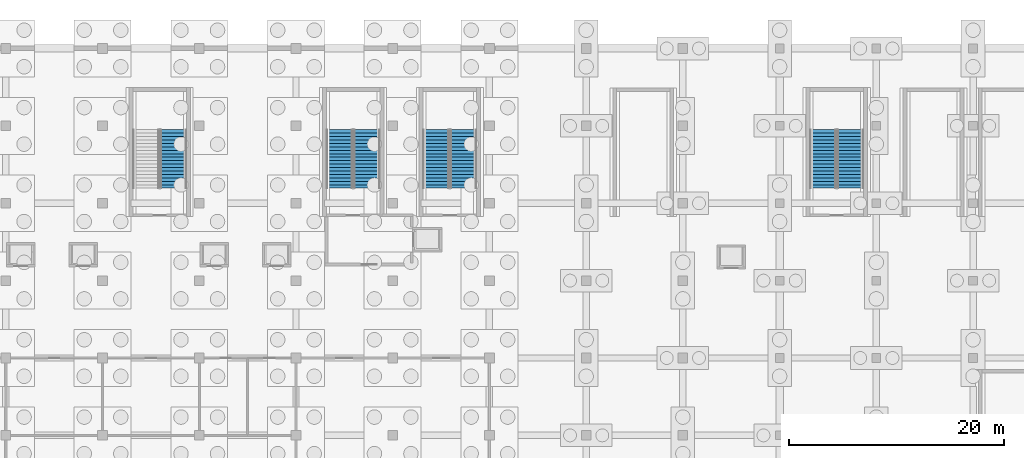
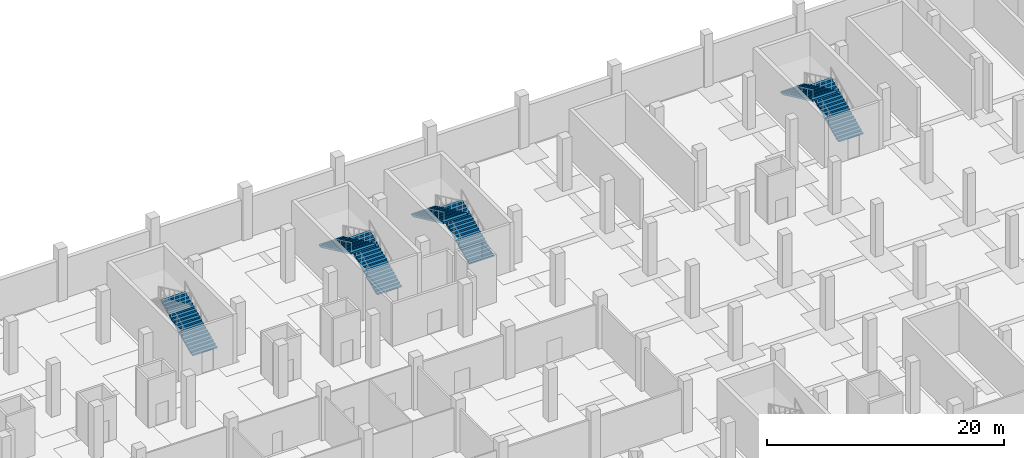
# One storey, part 29 of 39: 7 stair flights, 4 elements without a shape of their own.
"""IFC4 building model written with IfcOpenShell, lengths in metres."""

import ifcopenshell
import ifcopenshell.guid

model = None  # the IFC model being written
_history = None  # IfcOwnerHistory: only IFC2X3 demands one
_inside = {}  # id of a spatial element -> (the spatial element, [elements in it])
_under = {}  # id of a project, library or spatial element -> (it, [spatial elements below it])
_declared = {}  # id of a project -> (the project, [libraries it declares])
_typed = {}  # id of a type object -> (the type object, [elements of that type])
_made_of = {}  # id of a material, layer set ... -> (it, [elements and type objects made of it])


def new_model(schema):
    """Start an empty IFC model of exactly this schema.

    Asked for "IFC4X3", IfcOpenShell would pick the latest addendum, in which some entities
    have other attributes; the version numbers below select the first issue.
    IFC2X3 requires an IfcOwnerHistory on every rooted entity: one is made here for all.
    """
    global model, _history
    if schema == "IFC4X3":
        model = ifcopenshell.file(schema_version=(4, 3, 0, 0))
    else:
        model = ifcopenshell.file(schema=schema)
    _inside.clear()
    _under.clear()
    _declared.clear()
    _typed.clear()
    _made_of.clear()
    _history = None
    if model.schema == "IFC2X3":
        org = make("IfcOrganization", Name="unknown")
        user = make(
            "IfcPersonAndOrganization",
            ThePerson=make("IfcPerson", FamilyName="unknown"),
            TheOrganization=org,
        )
        app = make(
            "IfcApplication",
            ApplicationDeveloper=org,
            Version="unknown",
            ApplicationFullName="unknown",
            ApplicationIdentifier="unknown",
        )
        _history = make(
            "IfcOwnerHistory",
            OwningUser=user,
            OwningApplication=app,
            ChangeAction="ADDED",
            CreationDate=0,
        )
    return model


def make(cls, **values):
    """One entity of the class cls with the attributes given. An attribute that is None is left unset."""
    return model.create_entity(
        cls, **{name: value for name, value in values.items() if value is not None}
    )


def rooted(cls, **values):
    """An entity with a GlobalId (a new one), such as an element, a storey or a relation."""
    return make(cls, GlobalId=ifcopenshell.guid.new(), OwnerHistory=_history, **values)


def si_unit(unit_type, name, prefix=None):
    """IfcSIUnit, for example si_unit("LENGTHUNIT", "METRE", prefix="MILLI")."""
    return make("IfcSIUnit", UnitType=unit_type, Prefix=prefix, Name=name)


def assignment(units):
    """IfcUnitAssignment: the units of a project."""
    return None if units is None else make("IfcUnitAssignment", Units=units)


def point(xyz):
    """IfcCartesianPoint."""
    return None if xyz is None else make("IfcCartesianPoint", Coordinates=xyz)


def direction(xyz):
    """IfcDirection."""
    return None if xyz is None else make("IfcDirection", DirectionRatios=xyz)


def frame(location, z_axis=None, x_axis=None):
    """IfcAxis2Placement3D, a coordinate frame: its origin and axes. An axis left out is left unset."""
    return make(
        "IfcAxis2Placement3D",
        Location=point(location),
        Axis=direction(z_axis),
        RefDirection=direction(x_axis),
    )


def origin():
    """The frame at (0, 0, 0) with its axes left unset."""
    return frame((0.0, 0.0, 0.0))


def place(relative_to, where):
    """IfcLocalPlacement: puts the frame where relative to a parent placement (None: the world)."""
    return make(
        "IfcLocalPlacement", PlacementRelTo=relative_to, RelativePlacement=where
    )


def context(
    kind, dimensions, precision=None, world=None, true_north=None, identifier=None
):
    """IfcGeometricRepresentationContext, for example the 3D "Model" context."""
    return make(
        "IfcGeometricRepresentationContext",
        ContextIdentifier=identifier,
        ContextType=kind,
        CoordinateSpaceDimension=dimensions,
        Precision=precision,
        WorldCoordinateSystem=world,
        TrueNorth=true_north,
    )


def subcontext(parent, identifier, kind, view, scale=None):
    """IfcGeometricRepresentationSubContext, for example "Body" below "Model"."""
    return make(
        "IfcGeometricRepresentationSubContext",
        ContextIdentifier=identifier,
        ContextType=kind,
        ParentContext=parent,
        TargetScale=scale,
        TargetView=view,
    )


def project(units=None, contexts=None):
    """IfcProject with its units and contexts."""
    return rooted(
        "IfcProject",
        Name="project",
        RepresentationContexts=contexts,
        UnitsInContext=assignment(units),
    )


def spatial(cls, under=None, at=None, **own):
    """A site, building, storey or space (cls), placed at a placement, below another one or the project."""
    s = rooted(cls, ObjectPlacement=at, **own)
    if under is not None:
        _under.setdefault(under.id(), (under, []))[1].append(s)
    return s


def polyline(points):
    """IfcPolyline through the points."""
    return make("IfcPolyline", Points=[point(p) for p in points])


def outline(outer, holes=None, kind="AREA"):
    """IfcArbitraryClosedProfileDef: a profile drawn as a closed curve; with holes, ...WithVoids."""
    if holes is None:
        return make("IfcArbitraryClosedProfileDef", ProfileType=kind, OuterCurve=outer)
    return make(
        "IfcArbitraryProfileDefWithVoids",
        ProfileType=kind,
        OuterCurve=outer,
        InnerCurves=holes,
    )


def extrude(swept, where, along, depth):
    """IfcExtrudedAreaSolid: the profile swept, set in the frame where, extruded along a direction by depth."""
    return make(
        "IfcExtrudedAreaSolid",
        SweptArea=swept,
        Position=where,
        ExtrudedDirection=direction(along),
        Depth=depth,
    )


def shape(context_of_items, identifier, shape_type, items):
    """IfcShapeRepresentation: the items that make up one representation, for example the "Body"."""
    return make(
        "IfcShapeRepresentation",
        ContextOfItems=context_of_items,
        RepresentationIdentifier=identifier,
        RepresentationType=shape_type,
        Items=items,
    )


def material(Name=None, Category=None):
    """IfcMaterial."""
    return make("IfcMaterial", Name=Name, Category=Category)


def made_of(thing, what):
    """Note that an element or type object is made of a material, layer set ...; save() writes the relation."""
    if what is not None:
        _made_of.setdefault(what.id(), (what, []))[1].append(thing)
    return thing


def type_object(cls, material=None, **own):
    """A type object (cls), such as IfcWallType, which elements share."""
    return made_of(rooted(cls, **own), material)


def element(
    cls,
    number,
    at=None,
    inside=None,
    cuts=None,
    type_object=None,
    material=None,
    context=None,
    identifier="Body",
    shape_type=None,
    held_by="IfcProductDefinitionShape",
    body=None,
    shapes=None,
    **own,
):
    """One element of the class cls, such as IfcWall. Its Tag is "e" and its number.

    at: its placement. inside: the storey or other place that contains it. cuts: it is an
    opening in that element (IfcRelVoidsElement). A single representation is given by context,
    identifier, shape_type and body (its items); several are given by shapes. held_by: the class
    of the entity that holds the representations. save() writes the other relations.
    """
    e = rooted(cls, Tag="e%d" % number, ObjectPlacement=at, **own)
    if body is not None:
        shapes = [shape(context, identifier, shape_type, body)]
    if shapes is not None:
        e.Representation = make(held_by, Representations=shapes)
    if inside is not None:
        _inside.setdefault(inside.id(), (inside, []))[1].append(e)
    if cuts is not None:
        rooted(
            "IfcRelVoidsElement", RelatingBuildingElement=cuts, RelatedOpeningElement=e
        )
    if type_object is not None:
        _typed.setdefault(type_object.id(), (type_object, []))[1].append(e)
    return made_of(e, material)


def aggregate(whole, parts):
    """IfcRelAggregates: a whole, such as a stair, and the parts it consists of."""
    return rooted("IfcRelAggregates", RelatingObject=whole, RelatedObjects=parts)


def save(model, path):
    """Write the relations noted so far, then the file.

    IfcRelAggregates (storeys below a building ...), IfcRelContainedInSpatialStructure (elements
    in a storey), IfcRelDefinesByType, IfcRelAssociatesMaterial and IfcRelDeclares: one each for
    every whole, place, type object, material and project.
    """
    for whole, parts in _under.values():
        aggregate(whole, parts)
    for where, things in _inside.values():
        rooted(
            "IfcRelContainedInSpatialStructure",
            RelatedElements=things,
            RelatingStructure=where,
        )
    for kind, things in _typed.values():
        rooted("IfcRelDefinesByType", RelatedObjects=things, RelatingType=kind)
    for what, things in _made_of.values():
        rooted("IfcRelAssociatesMaterial", RelatedObjects=things, RelatingMaterial=what)
    for by, libraries in _declared.values():
        rooted("IfcRelDeclares", RelatingContext=by, RelatedDefinitions=libraries)
    model.write(path)


model = new_model("IFC4")

# Units and contexts
model_context = context("Model", 3, precision=1e-05, world=origin(), true_north=direction((0.0, 1.0)))
body_context = subcontext(model_context, "Body", "Model", "MODEL_VIEW")
ifc_project = project(units=[si_unit("LENGTHUNIT", "METRE"), si_unit("AREAUNIT", "SQUARE_METRE"), si_unit("VOLUMEUNIT", "CUBIC_METRE"), si_unit("PLANEANGLEUNIT", "RADIAN"), si_unit("MASSUNIT", "GRAM", prefix="KILO")], contexts=[model_context])

# Site, building, storey
site_placement = place(None, origin())
site = spatial("IfcSite", under=ifc_project, at=site_placement, CompositionType="ELEMENT")
building_placement = place(site_placement, origin())
building = spatial("IfcBuilding", under=site, at=building_placement, Name="Celestram Park Convention Centre", CompositionType="ELEMENT")
storey_placement = place(building_placement, frame((0.0, 0.0, -5.39990234375)))
storey = spatial("IfcBuildingStorey", under=building, at=storey_placement, Name="B1", CompositionType="ELEMENT", Elevation=-5.39990234375)

# Stair, stair flights
ifc_material = material(Name="Precast Concrete C40/50", Category="concrete")
stair_type = type_object("IfcStairType", Name="ARC-STR-DOG54", PredefinedType="HALF_TURN_STAIR", material=ifc_material)
stair_1_placement = place(storey_placement, origin())
stair_1 = element("IfcStair", 1, at=stair_1_placement, inside=storey, type_object=stair_type, Name="B1 Core C2 stair ST-02", PredefinedType="HALF_TURN_STAIR")
stair_flight_type = type_object("IfcStairFlightType", Name="ARC-FLT-18R", PredefinedType="STRAIGHT", material=ifc_material)
stair_flight_1_placement = place(storey_placement, frame((87.60009765625, 152.60009765625, 0.0), z_axis=(0.0, 0.0, 1.0), x_axis=(0.0, 1.0, 0.0)))
stair_flight_1 = element("IfcStairFlight", 2, at=stair_flight_1_placement, type_object=stair_flight_type, Name="ST-02 flight 1", NumberOfRisers=18, NumberOfTreads=17, PredefinedType="STRAIGHT", RiserHeight=0.15, TreadLength=0.32, context=body_context, shape_type="SweptSolid", body=[
    extrude(outline(polyline([(0.0, 0.0), (0.0, 0.14990234375), (0.320068359375, 0.14990234375), (0.320068359375, 0.300048828125), (0.639892578125, 0.300048828125), (0.639892578125, 0.449951171875), (0.9599609375, 0.449951171875), (0.9599609375, 0.60009765625), (1.280029296875, 0.60009765625), (1.280029296875, 0.75), (1.60009765625, 0.75), (1.60009765625, 0.89990234375), (1.919921875, 0.89990234375), (1.919921875, 1.050048828125), (2.239990234375, 1.050048828125), (2.239990234375, 1.199951171875), (2.56005859375, 1.199951171875), (2.56005859375, 1.35009765625), (2.8798828125, 1.35009765625), (2.8798828125, 1.5), (3.199951171875, 1.5), (3.199951171875, 1.64990234375), (3.52001953125, 1.64990234375), (3.52001953125, 1.800048828125), (3.840087890625, 1.800048828125), (3.840087890625, 1.949951171875), (4.159912109375, 1.949951171875), (4.159912109375, 2.10009765625), (4.47998046875, 2.10009765625), (4.47998046875, 2.25), (4.800048828125, 2.25), (4.800048828125, 2.39990234375), (5.1201171875, 2.39990234375), (5.1201171875, 2.550048828125), (5.43994140625, 2.550048828125), (5.43994140625, 2.699951171875), (5.43994140625, 2.384521484375), (0.353271484375, 0.0), (0.0, 0.0)])), frame((0.0, 1.199951171875, 0.0), z_axis=(0.0, -1.0, 0.0), x_axis=(1.0, 0.0, 0.0)), (0.0, 0.0, 1.0), 2.39990234375),
])
stair_flight_2_placement = place(storey_placement, frame((85.0400390625, 158.0400390625, 2.699951171875), z_axis=(0.0, 0.0, 1.0), x_axis=(0.0, -1.0, 0.0)))
stair_flight_2 = element("IfcStairFlight", 3, at=stair_flight_2_placement, type_object=stair_flight_type, Name="ST-02 flight 2", NumberOfRisers=18, NumberOfTreads=17, PredefinedType="STRAIGHT", RiserHeight=0.15, TreadLength=0.32, context=body_context, shape_type="SweptSolid", body=[
    extrude(outline(polyline([(0.0, 0.0), (0.0, 0.14990234375), (0.320068359375, 0.14990234375), (0.320068359375, 0.300048828125), (0.639892578125, 0.300048828125), (0.639892578125, 0.449951171875), (0.9599609375, 0.449951171875), (0.9599609375, 0.60009765625), (1.280029296875, 0.60009765625), (1.280029296875, 0.75), (1.60009765625, 0.75), (1.60009765625, 0.89990234375), (1.919921875, 0.89990234375), (1.919921875, 1.050048828125), (2.239990234375, 1.050048828125), (2.239990234375, 1.199951171875), (2.56005859375, 1.199951171875), (2.56005859375, 1.35009765625), (2.8798828125, 1.35009765625), (2.8798828125, 1.5), (3.199951171875, 1.5), (3.199951171875, 1.64990234375), (3.52001953125, 1.64990234375), (3.52001953125, 1.800048828125), (3.840087890625, 1.800048828125), (3.840087890625, 1.949951171875), (4.159912109375, 1.949951171875), (4.159912109375, 2.10009765625), (4.47998046875, 2.10009765625), (4.47998046875, 2.25), (4.800048828125, 2.25), (4.800048828125, 2.39990234375), (5.1201171875, 2.39990234375), (5.1201171875, 2.550048828125), (5.43994140625, 2.550048828125), (5.43994140625, 2.699951171875), (5.43994140625, 2.384521484375), (0.353271484375, 0.0), (0.0, 0.0)])), frame((0.0, 1.199951171875, 0.0), z_axis=(0.0, -1.0, 0.0), x_axis=(1.0, 0.0, 0.0)), (0.0, 0.0, 1.0), 2.39990234375),
])
aggregate(stair_1, [stair_flight_1, stair_flight_2])

stair_2_placement = place(storey_placement, origin())
stair_2 = element("IfcStair", 4, at=stair_2_placement, inside=storey, type_object=stair_type, Name="B1 Core C5 stair ST-05", PredefinedType="HALF_TURN_STAIR")
stair_flight_3_placement = place(storey_placement, frame((132.60009765625, 152.60009765625, 0.0), z_axis=(0.0, 0.0, 1.0), x_axis=(0.0, 1.0, 0.0)))
stair_flight_3 = element("IfcStairFlight", 5, at=stair_flight_3_placement, type_object=stair_flight_type, Name="ST-05 flight 1", NumberOfRisers=18, NumberOfTreads=17, PredefinedType="STRAIGHT", RiserHeight=0.15, TreadLength=0.32, context=body_context, shape_type="SweptSolid", body=[
    extrude(outline(polyline([(0.0, 0.0), (0.0, 0.14990234375), (0.320068359375, 0.14990234375), (0.320068359375, 0.300048828125), (0.639892578125, 0.300048828125), (0.639892578125, 0.449951171875), (0.9599609375, 0.449951171875), (0.9599609375, 0.60009765625), (1.280029296875, 0.60009765625), (1.280029296875, 0.75), (1.60009765625, 0.75), (1.60009765625, 0.89990234375), (1.919921875, 0.89990234375), (1.919921875, 1.050048828125), (2.239990234375, 1.050048828125), (2.239990234375, 1.199951171875), (2.56005859375, 1.199951171875), (2.56005859375, 1.35009765625), (2.8798828125, 1.35009765625), (2.8798828125, 1.5), (3.199951171875, 1.5), (3.199951171875, 1.64990234375), (3.52001953125, 1.64990234375), (3.52001953125, 1.800048828125), (3.840087890625, 1.800048828125), (3.840087890625, 1.949951171875), (4.159912109375, 1.949951171875), (4.159912109375, 2.10009765625), (4.47998046875, 2.10009765625), (4.47998046875, 2.25), (4.800048828125, 2.25), (4.800048828125, 2.39990234375), (5.1201171875, 2.39990234375), (5.1201171875, 2.550048828125), (5.43994140625, 2.550048828125), (5.43994140625, 2.699951171875), (5.43994140625, 2.384521484375), (0.353271484375, 0.0), (0.0, 0.0)])), frame((0.0, 1.199951171875, 0.0), z_axis=(0.0, -1.0, 0.0), x_axis=(1.0, 0.0, 0.0)), (0.0, 0.0, 1.0), 2.39990234375),
])
stair_flight_4_placement = place(storey_placement, frame((130.0400390625, 158.0400390625, 2.699951171875), z_axis=(0.0, 0.0, 1.0), x_axis=(0.0, -1.0, 0.0)))
stair_flight_4 = element("IfcStairFlight", 6, at=stair_flight_4_placement, type_object=stair_flight_type, Name="ST-05 flight 2", NumberOfRisers=18, NumberOfTreads=17, PredefinedType="STRAIGHT", RiserHeight=0.15, TreadLength=0.32, context=body_context, shape_type="SweptSolid", body=[
    extrude(outline(polyline([(0.0, 0.0), (0.0, 0.14990234375), (0.320068359375, 0.14990234375), (0.320068359375, 0.300048828125), (0.639892578125, 0.300048828125), (0.639892578125, 0.449951171875), (0.9599609375, 0.449951171875), (0.9599609375, 0.60009765625), (1.280029296875, 0.60009765625), (1.280029296875, 0.75), (1.60009765625, 0.75), (1.60009765625, 0.89990234375), (1.919921875, 0.89990234375), (1.919921875, 1.050048828125), (2.239990234375, 1.050048828125), (2.239990234375, 1.199951171875), (2.56005859375, 1.199951171875), (2.56005859375, 1.35009765625), (2.8798828125, 1.35009765625), (2.8798828125, 1.5), (3.199951171875, 1.5), (3.199951171875, 1.64990234375), (3.52001953125, 1.64990234375), (3.52001953125, 1.800048828125), (3.840087890625, 1.800048828125), (3.840087890625, 1.949951171875), (4.159912109375, 1.949951171875), (4.159912109375, 2.10009765625), (4.47998046875, 2.10009765625), (4.47998046875, 2.25), (4.800048828125, 2.25), (4.800048828125, 2.39990234375), (5.1201171875, 2.39990234375), (5.1201171875, 2.550048828125), (5.43994140625, 2.550048828125), (5.43994140625, 2.699951171875), (5.43994140625, 2.384521484375), (0.353271484375, 0.0), (0.0, 0.0)])), frame((0.0, 1.199951171875, 0.0), z_axis=(0.0, -1.0, 0.0), x_axis=(1.0, 0.0, 0.0)), (0.0, 0.0, 1.0), 2.39990234375),
])
aggregate(stair_2, [stair_flight_3, stair_flight_4])

# Stair, stair flight
stair_3_placement = place(storey_placement, origin())
stair_3 = element("IfcStair", 7, at=stair_3_placement, inside=storey, type_object=stair_type, Name="B1 Core S14 stair ST-14", PredefinedType="HALF_TURN_STAIR")
stair_flight_5_placement = place(storey_placement, frame((69.60009765625, 152.60009765625, 0.0), z_axis=(0.0, 0.0, 1.0), x_axis=(0.0, 1.0, 0.0)))
stair_flight_5 = element("IfcStairFlight", 8, at=stair_flight_5_placement, type_object=stair_flight_type, Name="ST-14 flight 1", NumberOfRisers=18, NumberOfTreads=17, PredefinedType="STRAIGHT", RiserHeight=0.15, TreadLength=0.32, context=body_context, shape_type="SweptSolid", body=[
    extrude(outline(polyline([(0.0, 0.0), (0.0, 0.14990234375), (0.320068359375, 0.14990234375), (0.320068359375, 0.300048828125), (0.639892578125, 0.300048828125), (0.639892578125, 0.449951171875), (0.9599609375, 0.449951171875), (0.9599609375, 0.60009765625), (1.280029296875, 0.60009765625), (1.280029296875, 0.75), (1.60009765625, 0.75), (1.60009765625, 0.89990234375), (1.919921875, 0.89990234375), (1.919921875, 1.050048828125), (2.239990234375, 1.050048828125), (2.239990234375, 1.199951171875), (2.56005859375, 1.199951171875), (2.56005859375, 1.35009765625), (2.8798828125, 1.35009765625), (2.8798828125, 1.5), (3.199951171875, 1.5), (3.199951171875, 1.64990234375), (3.52001953125, 1.64990234375), (3.52001953125, 1.800048828125), (3.840087890625, 1.800048828125), (3.840087890625, 1.949951171875), (4.159912109375, 1.949951171875), (4.159912109375, 2.10009765625), (4.47998046875, 2.10009765625), (4.47998046875, 2.25), (4.800048828125, 2.25), (4.800048828125, 2.39990234375), (5.1201171875, 2.39990234375), (5.1201171875, 2.550048828125), (5.43994140625, 2.550048828125), (5.43994140625, 2.699951171875), (5.43994140625, 2.384521484375), (0.353271484375, 0.0), (0.0, 0.0)])), frame((0.0, 1.199951171875, 0.0), z_axis=(0.0, -1.0, 0.0), x_axis=(1.0, 0.0, 0.0)), (0.0, 0.0, 1.0), 2.39990234375),
])
aggregate(stair_3, [stair_flight_5])

# Stair, stair flights
stair_4_placement = place(storey_placement, origin())
stair_4 = element("IfcStair", 9, at=stair_4_placement, inside=storey, type_object=stair_type, Name="B1 Core S19 stair ST-19", PredefinedType="HALF_TURN_STAIR")
stair_flight_6_placement = place(storey_placement, frame((96.60009765625, 152.60009765625, 0.0), z_axis=(0.0, 0.0, 1.0), x_axis=(0.0, 1.0, 0.0)))
stair_flight_6 = element("IfcStairFlight", 10, at=stair_flight_6_placement, type_object=stair_flight_type, Name="ST-19 flight 1", NumberOfRisers=18, NumberOfTreads=17, PredefinedType="STRAIGHT", RiserHeight=0.15, TreadLength=0.32, context=body_context, shape_type="SweptSolid", body=[
    extrude(outline(polyline([(0.0, 0.0), (0.0, 0.14990234375), (0.320068359375, 0.14990234375), (0.320068359375, 0.300048828125), (0.639892578125, 0.300048828125), (0.639892578125, 0.449951171875), (0.9599609375, 0.449951171875), (0.9599609375, 0.60009765625), (1.280029296875, 0.60009765625), (1.280029296875, 0.75), (1.60009765625, 0.75), (1.60009765625, 0.89990234375), (1.919921875, 0.89990234375), (1.919921875, 1.050048828125), (2.239990234375, 1.050048828125), (2.239990234375, 1.199951171875), (2.56005859375, 1.199951171875), (2.56005859375, 1.35009765625), (2.8798828125, 1.35009765625), (2.8798828125, 1.5), (3.199951171875, 1.5), (3.199951171875, 1.64990234375), (3.52001953125, 1.64990234375), (3.52001953125, 1.800048828125), (3.840087890625, 1.800048828125), (3.840087890625, 1.949951171875), (4.159912109375, 1.949951171875), (4.159912109375, 2.10009765625), (4.47998046875, 2.10009765625), (4.47998046875, 2.25), (4.800048828125, 2.25), (4.800048828125, 2.39990234375), (5.1201171875, 2.39990234375), (5.1201171875, 2.550048828125), (5.43994140625, 2.550048828125), (5.43994140625, 2.699951171875), (5.43994140625, 2.384521484375), (0.353271484375, 0.0), (0.0, 0.0)])), frame((0.0, 1.199951171875, 0.0), z_axis=(0.0, -1.0, 0.0), x_axis=(1.0, 0.0, 0.0)), (0.0, 0.0, 1.0), 2.39990234375),
])
stair_flight_7_placement = place(storey_placement, frame((94.0400390625, 158.0400390625, 2.699951171875), z_axis=(0.0, 0.0, 1.0), x_axis=(0.0, -1.0, 0.0)))
stair_flight_7 = element("IfcStairFlight", 11, at=stair_flight_7_placement, type_object=stair_flight_type, Name="ST-19 flight 2", NumberOfRisers=18, NumberOfTreads=17, PredefinedType="STRAIGHT", RiserHeight=0.15, TreadLength=0.32, context=body_context, shape_type="SweptSolid", body=[
    extrude(outline(polyline([(0.0, 0.0), (0.0, 0.14990234375), (0.320068359375, 0.14990234375), (0.320068359375, 0.300048828125), (0.639892578125, 0.300048828125), (0.639892578125, 0.449951171875), (0.9599609375, 0.449951171875), (0.9599609375, 0.60009765625), (1.280029296875, 0.60009765625), (1.280029296875, 0.75), (1.60009765625, 0.75), (1.60009765625, 0.89990234375), (1.919921875, 0.89990234375), (1.919921875, 1.050048828125), (2.239990234375, 1.050048828125), (2.239990234375, 1.199951171875), (2.56005859375, 1.199951171875), (2.56005859375, 1.35009765625), (2.8798828125, 1.35009765625), (2.8798828125, 1.5), (3.199951171875, 1.5), (3.199951171875, 1.64990234375), (3.52001953125, 1.64990234375), (3.52001953125, 1.800048828125), (3.840087890625, 1.800048828125), (3.840087890625, 1.949951171875), (4.159912109375, 1.949951171875), (4.159912109375, 2.10009765625), (4.47998046875, 2.10009765625), (4.47998046875, 2.25), (4.800048828125, 2.25), (4.800048828125, 2.39990234375), (5.1201171875, 2.39990234375), (5.1201171875, 2.550048828125), (5.43994140625, 2.550048828125), (5.43994140625, 2.699951171875), (5.43994140625, 2.384521484375), (0.353271484375, 0.0), (0.0, 0.0)])), frame((0.0, 1.199951171875, 0.0), z_axis=(0.0, -1.0, 0.0), x_axis=(1.0, 0.0, 0.0)), (0.0, 0.0, 1.0), 2.39990234375),
])
aggregate(stair_4, [stair_flight_6, stair_flight_7])

save(model, "model.ifc")
